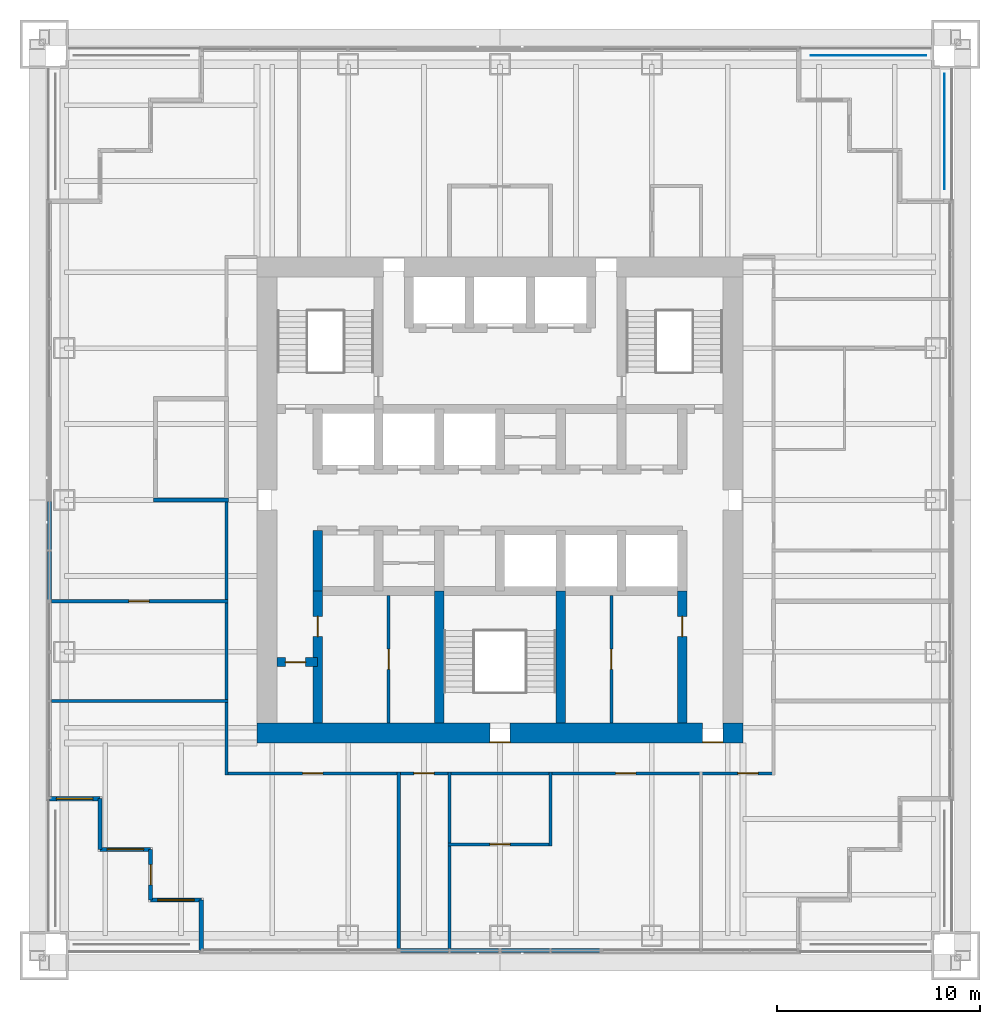
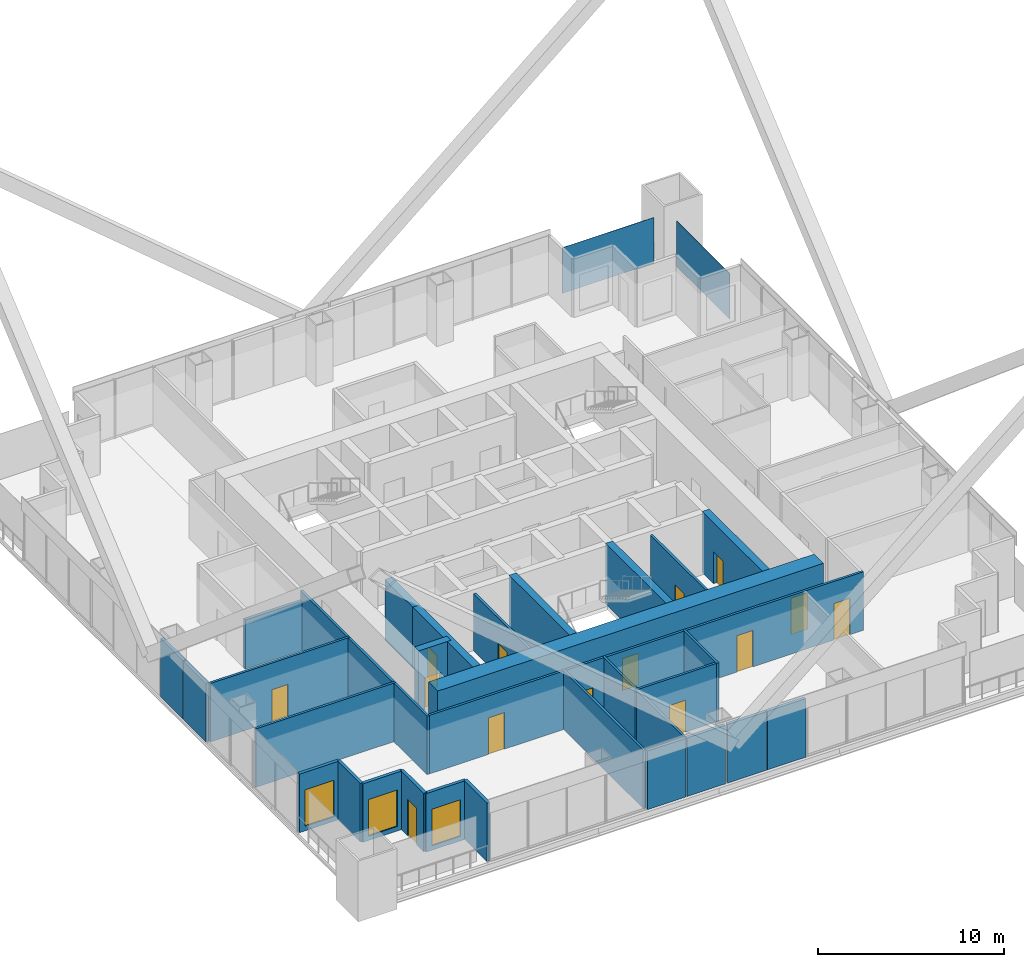
# One storey, part 14 of 19: 30 walls, 14 doors, 3 windows, 2 plates, 17 openings.
"""IFC4 building model written with IfcOpenShell, lengths in metres."""

import ifcopenshell
import ifcopenshell.guid

model = None  # the IFC model being written
_history = None  # IfcOwnerHistory: only IFC2X3 demands one
_inside = {}  # id of a spatial element -> (the spatial element, [elements in it])
_under = {}  # id of a project, library or spatial element -> (it, [spatial elements below it])
_declared = {}  # id of a project -> (the project, [libraries it declares])
_typed = {}  # id of a type object -> (the type object, [elements of that type])
_made_of = {}  # id of a material, layer set ... -> (it, [elements and type objects made of it])


def new_model(schema):
    """Start an empty IFC model of exactly this schema.

    Asked for "IFC4X3", IfcOpenShell would pick the latest addendum, in which some entities
    have other attributes; the version numbers below select the first issue.
    IFC2X3 requires an IfcOwnerHistory on every rooted entity: one is made here for all.
    """
    global model, _history
    if schema == "IFC4X3":
        model = ifcopenshell.file(schema_version=(4, 3, 0, 0))
    else:
        model = ifcopenshell.file(schema=schema)
    _inside.clear()
    _under.clear()
    _declared.clear()
    _typed.clear()
    _made_of.clear()
    _history = None
    if model.schema == "IFC2X3":
        org = make("IfcOrganization", Name="unknown")
        user = make(
            "IfcPersonAndOrganization",
            ThePerson=make("IfcPerson", FamilyName="unknown"),
            TheOrganization=org,
        )
        app = make(
            "IfcApplication",
            ApplicationDeveloper=org,
            Version="unknown",
            ApplicationFullName="unknown",
            ApplicationIdentifier="unknown",
        )
        _history = make(
            "IfcOwnerHistory",
            OwningUser=user,
            OwningApplication=app,
            ChangeAction="ADDED",
            CreationDate=0,
        )
    return model


def make(cls, **values):
    """One entity of the class cls with the attributes given. An attribute that is None is left unset."""
    return model.create_entity(
        cls, **{name: value for name, value in values.items() if value is not None}
    )


def rooted(cls, **values):
    """An entity with a GlobalId (a new one), such as an element, a storey or a relation."""
    return make(cls, GlobalId=ifcopenshell.guid.new(), OwnerHistory=_history, **values)


def si_unit(unit_type, name, prefix=None):
    """IfcSIUnit, for example si_unit("LENGTHUNIT", "METRE", prefix="MILLI")."""
    return make("IfcSIUnit", UnitType=unit_type, Prefix=prefix, Name=name)


def assignment(units):
    """IfcUnitAssignment: the units of a project."""
    return None if units is None else make("IfcUnitAssignment", Units=units)


def point(xyz):
    """IfcCartesianPoint."""
    return None if xyz is None else make("IfcCartesianPoint", Coordinates=xyz)


def direction(xyz):
    """IfcDirection."""
    return None if xyz is None else make("IfcDirection", DirectionRatios=xyz)


def frame(location, z_axis=None, x_axis=None):
    """IfcAxis2Placement3D, a coordinate frame: its origin and axes. An axis left out is left unset."""
    return make(
        "IfcAxis2Placement3D",
        Location=point(location),
        Axis=direction(z_axis),
        RefDirection=direction(x_axis),
    )


def frame_2d(location, x_axis=None):
    """IfcAxis2Placement2D, a coordinate frame in the plane: its origin and x axis."""
    return make(
        "IfcAxis2Placement2D", Location=point(location), RefDirection=direction(x_axis)
    )


def origin():
    """The frame at (0, 0, 0) with its axes left unset."""
    return frame((0.0, 0.0, 0.0))


def origin_2d():
    """The frame at (0, 0) in the plane with its x axis left unset."""
    return frame_2d((0.0, 0.0))


def place(relative_to, where):
    """IfcLocalPlacement: puts the frame where relative to a parent placement (None: the world)."""
    return make(
        "IfcLocalPlacement", PlacementRelTo=relative_to, RelativePlacement=where
    )


def context(
    kind, dimensions, precision=None, world=None, true_north=None, identifier=None
):
    """IfcGeometricRepresentationContext, for example the 3D "Model" context."""
    return make(
        "IfcGeometricRepresentationContext",
        ContextIdentifier=identifier,
        ContextType=kind,
        CoordinateSpaceDimension=dimensions,
        Precision=precision,
        WorldCoordinateSystem=world,
        TrueNorth=true_north,
    )


def subcontext(parent, identifier, kind, view, scale=None):
    """IfcGeometricRepresentationSubContext, for example "Body" below "Model"."""
    return make(
        "IfcGeometricRepresentationSubContext",
        ContextIdentifier=identifier,
        ContextType=kind,
        ParentContext=parent,
        TargetScale=scale,
        TargetView=view,
    )


def project(units=None, contexts=None):
    """IfcProject with its units and contexts."""
    return rooted(
        "IfcProject",
        Name="project",
        RepresentationContexts=contexts,
        UnitsInContext=assignment(units),
    )


def spatial(cls, under=None, at=None, **own):
    """A site, building, storey or space (cls), placed at a placement, below another one or the project."""
    s = rooted(cls, ObjectPlacement=at, **own)
    if under is not None:
        _under.setdefault(under.id(), (under, []))[1].append(s)
    return s


def profile(cls, at=None, kind="AREA", **sizes):
    """A parametric profile (cls). Its sizes go by their IFC names, for example OverallWidth=200.0."""
    return make(cls, ProfileType=kind, Position=at, **sizes)


def rectangle(**sizes):
    """IfcRectangleProfileDef."""
    return profile("IfcRectangleProfileDef", **sizes)


def extrude(swept, where, along, depth):
    """IfcExtrudedAreaSolid: the profile swept, set in the frame where, extruded along a direction by depth."""
    return make(
        "IfcExtrudedAreaSolid",
        SweptArea=swept,
        Position=where,
        ExtrudedDirection=direction(along),
        Depth=depth,
    )


def shape(context_of_items, identifier, shape_type, items):
    """IfcShapeRepresentation: the items that make up one representation, for example the "Body"."""
    return make(
        "IfcShapeRepresentation",
        ContextOfItems=context_of_items,
        RepresentationIdentifier=identifier,
        RepresentationType=shape_type,
        Items=items,
    )


def material(Name=None, Category=None):
    """IfcMaterial."""
    return make("IfcMaterial", Name=Name, Category=Category)


def layer(
    of_material, thickness, ventilated=None, Name=None, Category=None, Priority=None
):
    """IfcMaterialLayer: one layer of a wall or slab, of a material (None: an air gap)."""
    return make(
        "IfcMaterialLayer",
        Material=of_material,
        LayerThickness=thickness,
        IsVentilated=ventilated,
        Name=Name,
        Category=Category,
        Priority=Priority,
    )


def layer_set(layers, Name=None):
    """IfcMaterialLayerSet."""
    return make("IfcMaterialLayerSet", MaterialLayers=layers, LayerSetName=Name)


def made_of(thing, what):
    """Note that an element or type object is made of a material, layer set ...; save() writes the relation."""
    if what is not None:
        _made_of.setdefault(what.id(), (what, []))[1].append(thing)
    return thing


def type_object(cls, material=None, **own):
    """A type object (cls), such as IfcWallType, which elements share."""
    return made_of(rooted(cls, **own), material)


def element(
    cls,
    number,
    at=None,
    inside=None,
    cuts=None,
    type_object=None,
    material=None,
    context=None,
    identifier="Body",
    shape_type=None,
    held_by="IfcProductDefinitionShape",
    body=None,
    shapes=None,
    **own,
):
    """One element of the class cls, such as IfcWall. Its Tag is "e" and its number.

    at: its placement. inside: the storey or other place that contains it. cuts: it is an
    opening in that element (IfcRelVoidsElement). A single representation is given by context,
    identifier, shape_type and body (its items); several are given by shapes. held_by: the class
    of the entity that holds the representations. save() writes the other relations.
    """
    e = rooted(cls, Tag="e%d" % number, ObjectPlacement=at, **own)
    if body is not None:
        shapes = [shape(context, identifier, shape_type, body)]
    if shapes is not None:
        e.Representation = make(held_by, Representations=shapes)
    if inside is not None:
        _inside.setdefault(inside.id(), (inside, []))[1].append(e)
    if cuts is not None:
        rooted(
            "IfcRelVoidsElement", RelatingBuildingElement=cuts, RelatedOpeningElement=e
        )
    if type_object is not None:
        _typed.setdefault(type_object.id(), (type_object, []))[1].append(e)
    return made_of(e, material)


def fill(opening, filler):
    """IfcRelFillsElement: the door or window that sits in an opening."""
    return rooted(
        "IfcRelFillsElement",
        RelatingOpeningElement=opening,
        RelatedBuildingElement=filler,
    )


def aggregate(whole, parts):
    """IfcRelAggregates: a whole, such as a stair, and the parts it consists of."""
    return rooted("IfcRelAggregates", RelatingObject=whole, RelatedObjects=parts)


def save(model, path):
    """Write the relations noted so far, then the file.

    IfcRelAggregates (storeys below a building ...), IfcRelContainedInSpatialStructure (elements
    in a storey), IfcRelDefinesByType, IfcRelAssociatesMaterial and IfcRelDeclares: one each for
    every whole, place, type object, material and project.
    """
    for whole, parts in _under.values():
        aggregate(whole, parts)
    for where, things in _inside.values():
        rooted(
            "IfcRelContainedInSpatialStructure",
            RelatedElements=things,
            RelatingStructure=where,
        )
    for kind, things in _typed.values():
        rooted("IfcRelDefinesByType", RelatedObjects=things, RelatingType=kind)
    for what, things in _made_of.values():
        rooted("IfcRelAssociatesMaterial", RelatedObjects=things, RelatingMaterial=what)
    for by, libraries in _declared.values():
        rooted("IfcRelDeclares", RelatingContext=by, RelatedDefinitions=libraries)
    model.write(path)


model = new_model("IFC4")

# Units and contexts
model_context = context("Model", 3, precision=1e-05, world=origin(), true_north=direction((0.0, 1.0)))
body_context = subcontext(model_context, "Body", "Model", "MODEL_VIEW")
ifc_project = project(units=[si_unit("LENGTHUNIT", "METRE"), si_unit("AREAUNIT", "SQUARE_METRE"), si_unit("VOLUMEUNIT", "CUBIC_METRE"), si_unit("PLANEANGLEUNIT", "RADIAN"), si_unit("MASSUNIT", "GRAM", prefix="KILO")], contexts=[model_context])

# Site, building, storey
site_placement = place(None, origin())
site = spatial("IfcSite", under=ifc_project, at=site_placement, CompositionType="ELEMENT")
building_placement = place(site_placement, origin())
building = spatial("IfcBuilding", under=site, at=building_placement, Name="Tarangal Relay Tower", CompositionType="ELEMENT")
storey_placement = place(building_placement, frame((0.0, 0.0, 193.89990234375)))
storey = spatial("IfcBuildingStorey", under=building, at=storey_placement, Name="L40", CompositionType="ELEMENT", Elevation=193.89990234375)

# Plates
ifc_material_1 = material(Name="Black stainless steel cable trellis with climbing planting", Category="steel")
ifc_layer_1 = layer(ifc_material_1, 0.030029296875)
ifc_layer_set_1 = layer_set([ifc_layer_1], Name="Planted trellis screen")
plate_type_1 = type_object("IfcPlateType", Name="Planted trellis screen", PredefinedType="SHEET", material=ifc_layer_set_1)
plate_1_placement = place(storey_placement, frame((21.949951171875, 18.199951171875, 0.0), z_axis=(0.0, 0.0, 1.0), x_axis=(0.0, -1.0, 0.0)))
element("IfcPlate", 1, at=plate_1_placement, inside=storey, type_object=plate_type_1, Name="Planted trellis SC2 NE L40", PredefinedType="SHEET", context=body_context, shape_type="SweptSolid", body=[
    extrude(rectangle(XDim=5.699951171875, YDim=0.030029296875, at=origin_2d()), origin(), (0.0, 0.0, 1.0), 3.0),
])
ifc_material_2 = material(Name="Perforated black aluminium screen", Category="aluminium")
ifc_layer_2 = layer(ifc_material_2, 0.02001953125)
ifc_layer_set_2 = layer_set([ifc_layer_2], Name="Terrace screen panel")
plate_type_2 = type_object("IfcPlateType", Name="Terrace screen panel", PredefinedType="SHEET", material=ifc_layer_set_2)
plate_2_placement = place(storey_placement, frame((18.199951171875, 21.949951171875, 0.0), z_axis=(0.0, 0.0, 1.0), x_axis=(1.0, 0.0, 0.0)))
element("IfcPlate", 2, at=plate_2_placement, inside=storey, type_object=plate_type_2, Name="Terrace screen SC1 NE L40", PredefinedType="SHEET", context=body_context, shape_type="SweptSolid", body=[
    extrude(rectangle(XDim=5.699951171875, YDim=0.02001953125, at=origin_2d()), origin(), (0.0, 0.0, 1.0), 3.0),
])

# Wall
ifc_material_3 = material(Name="Two layers gypsum board each side on twin steel studs, mineral wool", Category="steel")
ifc_layer_3 = layer(ifc_material_3, 0.199951171875)
ifc_layer_set_3 = layer_set([ifc_layer_3], Name="Acoustic partition 200")
wall_type_1 = type_object("IfcWallType", Name="Acoustic partition 200", PredefinedType="PARTITIONING", material=ifc_layer_set_3)
wall_1_placement = place(storey_placement, frame((-17.10009765625, 0.0, 0.0), z_axis=(0.0, 0.0, 1.0), x_axis=(1.0, 0.0, 0.0)))
element("IfcWall", 3, at=wall_1_placement, inside=storey, type_object=wall_type_1, Name="Partition PT2 L40", PredefinedType="PARTITIONING", context=body_context, shape_type="SweptSolid", body=[
    extrude(rectangle(XDim=3.7001953125, YDim=0.199951171875, at=frame_2d((1.85009765625, 0.0))), origin(), (0.0, 0.0, 1.0), 3.238037109375),
])

# Wall, opening, door
ifc_material_4 = material(Name="Concrete fc' 60 MPa", Category="concrete")
ifc_layer_4 = layer(ifc_material_4, 0.449951171875)
ifc_layer_set_4 = layer_set([ifc_layer_4], Name="Core inner wall 450")
wall_type_2 = type_object("IfcWallType", Name="Core inner wall 450", PredefinedType="SHEAR", material=ifc_layer_set_4)
wall_2_placement = place(storey_placement, frame((-11.0, -8.0, 0.0), z_axis=(0.0, 0.0, 1.0), x_axis=(1.0, 0.0, 0.0)))
wall_2 = element("IfcWall", 4, at=wall_2_placement, inside=storey, type_object=wall_type_2, Name="Core wall YM8 L40", PredefinedType="SHEAR", context=body_context, shape_type="SweptSolid", body=[
    extrude(rectangle(XDim=2.0, YDim=0.449951171875, at=frame_2d((1.0, 0.0))), origin(), (0.0, 0.0, 1.0), 4.0),
])
opening_1_placement = place(wall_2_placement, frame((0.39990234375, 0.0, 0.0)))
opening_1 = element("IfcOpeningElement", 5, at=opening_1_placement, cuts=wall_2, Name="Opening D1", PredefinedType="OPENING", context=body_context, shape_type="SweptSolid", body=[
    extrude(rectangle(XDim=1.0, YDim=2.10009765625, at=frame_2d((0.5, 1.050048828125))), frame((0.0, 0.23486328125, 0.0), z_axis=(0.0, -1.0, 0.0), x_axis=(1.0, 0.0, 0.0)), (0.0, 0.0, 1.0), 0.469970703125),
])
ifc_material_5 = material(Name="Hardwood door", Category="wood")
door_type_1 = type_object("IfcDoorType", Name="WC door 1000 x 2100", OperationType="SINGLE_SWING_LEFT", PredefinedType="DOOR", material=ifc_material_5)
door_1_placement = place(opening_1_placement, origin())
door_1 = element("IfcDoor", 6, at=door_1_placement, inside=storey, type_object=door_type_1, Name="Accessible WC door L40", OperationType="SINGLE_SWING_LEFT", OverallHeight=2.10009765625, OverallWidth=1.0, PredefinedType="DOOR", context=body_context, shape_type="SweptSolid", body=[
    extrude(rectangle(XDim=1.0, YDim=2.10009765625, at=frame_2d((0.5, 1.050048828125))), frame((0.0, 0.02490234375, 0.0), z_axis=(0.0, -1.0, 0.0), x_axis=(1.0, 0.0, 0.0)), (0.0, 0.0, 1.0), 0.050048828125),
])
fill(opening_1, door_1)

# Wall
wall_3_placement = place(storey_placement, frame((-9.0, -4.5, 0.0), z_axis=(0.0, 0.0, 1.0), x_axis=(0.0, 1.0, 0.0)))
element("IfcWall", 7, at=wall_3_placement, inside=storey, type_object=wall_type_2, Name="Core wall XM9S L40", PredefinedType="SHEAR", context=body_context, shape_type="SweptSolid", body=[
    extrude(rectangle(XDim=3.0, YDim=0.449951171875, at=frame_2d((1.5, 0.0))), origin(), (0.0, 0.0, 1.0), 4.0),
])

# Wall, opening, door
wall_4_placement = place(storey_placement, frame((-9.0, -11.0, 0.0), z_axis=(0.0, 0.0, 1.0), x_axis=(0.0, 1.0, 0.0)))
wall_4 = element("IfcWall", 8, at=wall_4_placement, inside=storey, type_object=wall_type_2, Name="Core wall XM9W L40", PredefinedType="SHEAR", context=body_context, shape_type="SweptSolid", body=[
    extrude(rectangle(XDim=6.5, YDim=0.449951171875, at=frame_2d((3.25, 0.0))), origin(), (0.0, 0.0, 1.0), 4.0),
])
opening_2_placement = place(wall_4_placement, frame((4.25, 0.0, 0.0)))
opening_2 = element("IfcOpeningElement", 9, at=opening_2_placement, cuts=wall_4, Name="Opening D1", PredefinedType="OPENING", context=body_context, shape_type="SweptSolid", body=[
    extrude(rectangle(XDim=1.0, YDim=2.10009765625, at=frame_2d((0.5, 1.050048828125))), frame((0.0, 0.23486328125, 0.0), z_axis=(0.0, -1.0, 0.0), x_axis=(1.0, 0.0, 0.0)), (0.0, 0.0, 1.0), 0.469970703125),
])
door_2_placement = place(opening_2_placement, origin())
door_2 = element("IfcDoor", 10, at=door_2_placement, inside=storey, type_object=door_type_1, Name="Male WC door L40", OperationType="SINGLE_SWING_LEFT", OverallHeight=2.10009765625, OverallWidth=1.0, PredefinedType="DOOR", context=body_context, shape_type="SweptSolid", body=[
    extrude(rectangle(XDim=1.0, YDim=2.10009765625, at=frame_2d((0.5, 1.050048828125))), frame((0.0, 0.02490234375, 0.0), z_axis=(0.0, -1.0, 0.0), x_axis=(1.0, 0.0, 0.0)), (0.0, 0.0, 1.0), 0.050048828125),
])
fill(opening_2, door_2)

wall_5_placement = place(storey_placement, frame((9.0, -11.0, 0.0), z_axis=(0.0, 0.0, 1.0), x_axis=(0.0, 1.0, 0.0)))
wall_5 = element("IfcWall", 11, at=wall_5_placement, inside=storey, type_object=wall_type_2, Name="Core wall X9W L40", PredefinedType="SHEAR", context=body_context, shape_type="SweptSolid", body=[
    extrude(rectangle(XDim=6.5, YDim=0.449951171875, at=frame_2d((3.25, 0.0))), origin(), (0.0, 0.0, 1.0), 4.0),
])
opening_3_placement = place(wall_5_placement, frame((4.25, 0.0, 0.0)))
opening_3 = element("IfcOpeningElement", 12, at=opening_3_placement, cuts=wall_5, Name="Opening D1", PredefinedType="OPENING", context=body_context, shape_type="SweptSolid", body=[
    extrude(rectangle(XDim=1.0, YDim=2.10009765625, at=frame_2d((0.5, 1.050048828125))), frame((0.0, 0.23486328125, 0.0), z_axis=(0.0, -1.0, 0.0), x_axis=(1.0, 0.0, 0.0)), (0.0, 0.0, 1.0), 0.469970703125),
])
door_3_placement = place(opening_3_placement, origin())
door_3 = element("IfcDoor", 13, at=door_3_placement, inside=storey, type_object=door_type_1, Name="Female WC door L40", OperationType="SINGLE_SWING_LEFT", OverallHeight=2.10009765625, OverallWidth=1.0, PredefinedType="DOOR", context=body_context, shape_type="SweptSolid", body=[
    extrude(rectangle(XDim=1.0, YDim=2.10009765625, at=frame_2d((0.5, 1.050048828125))), frame((0.0, 0.02490234375, 0.0), z_axis=(0.0, -1.0, 0.0), x_axis=(1.0, 0.0, 0.0)), (0.0, 0.0, 1.0), 0.050048828125),
])
fill(opening_3, door_3)

# Walls
for number, where, z_axis, x_axis, name in (
    (14, (-3.0, -11.0, 0.0), (0.0, 0.0, 1.0), (0.0, 1.0, 0.0), "Core wall XM3W L40"),
    (15, (3.0, -11.0, 0.0), (0.0, 0.0, 1.0), (0.0, 1.0, 0.0), "Core wall X3W L40"),
):
    element("IfcWall", number, at=place(storey_placement, frame(where, z_axis=z_axis, x_axis=x_axis)), inside=storey, type_object=wall_type_2, Name=name, PredefinedType="SHEAR", context=body_context, shape_type="SweptSolid", body=[
        extrude(rectangle(XDim=6.5, YDim=0.449951171875, at=frame_2d((3.25, 0.0))), origin(), (0.0, 0.0, 1.0), 4.0),
    ])

# Wall, openings, doors
ifc_layer_5 = layer(ifc_material_4, 1.0)
ifc_layer_set_5 = layer_set([ifc_layer_5], Name="Core wall 1000")
wall_type_3 = type_object("IfcWallType", Name="Core wall 1000", PredefinedType="SHEAR", material=ifc_layer_set_5)
wall_6_placement = place(storey_placement, frame((12.0, -11.5, 0.0), z_axis=(0.0, 0.0, 1.0), x_axis=(-1.0, 0.0, 0.0)))
wall_6 = element("IfcWall", 16, at=wall_6_placement, inside=storey, type_object=wall_type_3, Name="Core wall S L40", PredefinedType="SHEAR", context=body_context, shape_type="SweptSolid", body=[
    extrude(rectangle(XDim=24.0, YDim=1.0, at=frame_2d((12.0, 0.0))), origin(), (0.0, 0.0, 1.0), 4.0),
])
opening_4_placement = place(wall_6_placement, frame((11.5, 0.0, 0.0)))
opening_4 = element("IfcOpeningElement", 17, at=opening_4_placement, cuts=wall_6, Name="Opening FD1", PredefinedType="OPENING", context=body_context, shape_type="SweptSolid", body=[
    extrude(rectangle(XDim=1.0, YDim=2.10009765625, at=frame_2d((0.5, 1.050048828125))), frame((0.0, 0.510009765625, 0.0), z_axis=(0.0, -1.0, 0.0), x_axis=(1.0, 0.0, 0.0)), (0.0, 0.0, 1.0), 1.02001953125),
])
opening_5_placement = place(wall_6_placement, frame((1.0, 0.0, 0.0)))
opening_5 = element("IfcOpeningElement", 18, at=opening_5_placement, cuts=wall_6, Name="Opening FD3", PredefinedType="OPENING", context=body_context, shape_type="SweptSolid", body=[
    extrude(rectangle(XDim=1.0, YDim=2.39990234375, at=frame_2d((0.5, 1.199951171875))), frame((0.0, 0.510009765625, 0.0), z_axis=(0.0, -1.0, 0.0), x_axis=(1.0, 0.0, 0.0)), (0.0, 0.0, 1.0), 1.02001953125),
])
ifc_material_6 = material(Name="Steel door with hardwood frame", Category="steel")
door_type_2 = type_object("IfcDoorType", Name="Fire door 1000 x 2100", OperationType="SINGLE_SWING_LEFT", PredefinedType="DOOR", material=ifc_material_6)
door_4_placement = place(opening_4_placement, origin())
door_4 = element("IfcDoor", 19, at=door_4_placement, inside=storey, type_object=door_type_2, Name="Stair ST-C door L40", OperationType="SINGLE_SWING_LEFT", OverallHeight=2.10009765625, OverallWidth=1.0, PredefinedType="DOOR", context=body_context, shape_type="SweptSolid", body=[
    extrude(rectangle(XDim=1.0, YDim=2.10009765625, at=frame_2d((0.5, 1.050048828125))), frame((0.0, 0.48486328125, 0.0), z_axis=(0.0, -1.0, 0.0), x_axis=(1.0, 0.0, 0.0)), (0.0, 0.0, 1.0), 0.050048828125),
])
fill(opening_4, door_4)
door_type_3 = type_object("IfcDoorType", Name="Fire door 1000 x 2400 core entry", OperationType="SINGLE_SWING_RIGHT", PredefinedType="DOOR", material=ifc_material_6)
door_5_placement = place(opening_5_placement, origin())
door_5 = element("IfcDoor", 20, at=door_5_placement, inside=storey, type_object=door_type_3, Name="Core entry door south east L40", OperationType="SINGLE_SWING_RIGHT", OverallHeight=2.39990234375, OverallWidth=1.0, PredefinedType="DOOR", context=body_context, shape_type="SweptSolid", body=[
    extrude(rectangle(XDim=1.0, YDim=2.39990234375, at=frame_2d((0.5, 1.199951171875))), frame((0.0, 0.48486328125, 0.0), z_axis=(0.0, -1.0, 0.0), x_axis=(1.0, 0.0, 0.0)), (0.0, 0.0, 1.0), 0.050048828125),
])
fill(opening_5, door_5)

# Wall
ifc_material_7 = material(Name="Black metal clad insulated wall", Category="steel")
ifc_layer_6 = layer(ifc_material_7, 0.199951171875)
ifc_layer_set_6 = layer_set([ifc_layer_6], Name="Corner wall metal clad 200")
wall_type_4 = type_object("IfcWallType", Name="Corner wall metal clad 200", PredefinedType="SOLIDWALL", material=ifc_layer_set_6)
wall_7_placement = place(storey_placement, frame((-14.75, -22.25, 0.0), z_axis=(0.0, 0.0, 1.0), x_axis=(0.0, 1.0, 0.0)))
element("IfcWall", 21, at=wall_7_placement, inside=storey, type_object=wall_type_4, Name="Facade wall S facade L40", PredefinedType="SOLIDWALL", context=body_context, shape_type="SweptSolid", body=[
    extrude(rectangle(XDim=2.5, YDim=0.199951171875, at=frame_2d((1.25, 0.0))), origin(), (0.0, 0.0, 1.0), 3.85009765625),
])

# Wall, opening, window
wall_8_placement = place(storey_placement, frame((-14.75, -19.75, 0.0), z_axis=(0.0, 0.0, 1.0), x_axis=(-1.0, 0.0, 0.0)))
wall_8 = element("IfcWall", 22, at=wall_8_placement, inside=storey, type_object=wall_type_4, Name="Facade wall S facade L40", PredefinedType="SOLIDWALL", context=body_context, shape_type="SweptSolid", body=[
    extrude(rectangle(XDim=2.5, YDim=0.199951171875, at=frame_2d((1.25, 0.0))), origin(), (0.0, 0.0, 1.0), 3.85009765625),
])
opening_6_placement = place(wall_8_placement, frame((0.35009765625, 0.0, 0.300048828125)))
opening_6 = element("IfcOpeningElement", 23, at=opening_6_placement, cuts=wall_8, Name="Opening WN2", PredefinedType="OPENING", context=body_context, shape_type="SweptSolid", body=[
    extrude(rectangle(XDim=1.800048828125, YDim=2.39990234375, at=frame_2d((0.89990234375, 1.199951171875))), frame((0.0, 0.10986328125, 0.0), z_axis=(0.0, -1.0, 0.0), x_axis=(1.0, 0.0, 0.0)), (0.0, 0.0, 1.0), 0.219970703125),
])
ifc_material_8 = material(Name="Dark tinted double glazing in black aluminium frame", Category="aluminium")
window_type = type_object("IfcWindowType", Name="Corner window 1800 x 2400", PartitioningType="SINGLE_PANEL", PredefinedType="WINDOW", material=ifc_material_8)
window_1_placement = place(opening_6_placement, origin())
window_1 = element("IfcWindow", 24, at=window_1_placement, inside=storey, type_object=window_type, Name="Corner window WN2 S facade L40", OverallHeight=2.39990234375, OverallWidth=1.800048828125, PartitioningType="SINGLE_PANEL", PredefinedType="WINDOW", context=body_context, shape_type="SweptSolid", body=[
    extrude(rectangle(XDim=1.800048828125, YDim=2.39990234375, at=frame_2d((0.89990234375, 1.199951171875))), frame((0.0, 0.030029296875, 0.0), z_axis=(0.0, -1.0, 0.0), x_axis=(1.0, 0.0, 0.0)), (0.0, 0.0, 1.0), 0.06005859375),
])
fill(opening_6, window_1)

# Wall, opening, door
wall_9_placement = place(storey_placement, frame((-17.25, -19.75, 0.0), z_axis=(0.0, 0.0, 1.0), x_axis=(0.0, 1.0, 0.0)))
wall_9 = element("IfcWall", 25, at=wall_9_placement, inside=storey, type_object=wall_type_4, Name="Facade wall S facade L40", PredefinedType="SOLIDWALL", context=body_context, shape_type="SweptSolid", body=[
    extrude(rectangle(XDim=2.5, YDim=0.199951171875, at=frame_2d((1.25, 0.0))), origin(), (0.0, 0.0, 1.0), 3.85009765625),
])
opening_7_placement = place(wall_9_placement, frame((0.75, 0.0, 0.0)))
opening_7 = element("IfcOpeningElement", 26, at=opening_7_placement, cuts=wall_9, Name="Opening TD1", PredefinedType="OPENING", context=body_context, shape_type="SweptSolid", body=[
    extrude(rectangle(XDim=1.0, YDim=2.39990234375, at=frame_2d((0.5, 1.199951171875))), frame((0.0, 0.10986328125, 0.0), z_axis=(0.0, -1.0, 0.0), x_axis=(1.0, 0.0, 0.0)), (0.0, 0.0, 1.0), 0.219970703125),
])
ifc_material_9 = material(Name="Aluminium glazed door", Category="aluminium")
door_type_4 = type_object("IfcDoorType", Name="Terrace door 1000 x 2400", OperationType="SINGLE_SWING_RIGHT", PredefinedType="DOOR", material=ifc_material_9)
door_6_placement = place(opening_7_placement, origin())
door_6 = element("IfcDoor", 27, at=door_6_placement, inside=storey, type_object=door_type_4, Name="Terrace door TD1 SW L40", OperationType="SINGLE_SWING_RIGHT", OverallHeight=2.39990234375, OverallWidth=1.0, PredefinedType="DOOR", context=body_context, shape_type="SweptSolid", body=[
    extrude(rectangle(XDim=1.0, YDim=2.39990234375, at=frame_2d((0.5, 1.199951171875))), frame((0.0, 0.02490234375, 0.0), z_axis=(0.0, -1.0, 0.0), x_axis=(1.0, 0.0, 0.0)), (0.0, 0.0, 1.0), 0.050048828125),
])
fill(opening_7, door_6)

# Wall, opening, window
wall_10_placement = place(storey_placement, frame((-17.25, -17.25, 0.0), z_axis=(0.0, 0.0, 1.0), x_axis=(-1.0, 0.0, 0.0)))
wall_10 = element("IfcWall", 28, at=wall_10_placement, inside=storey, type_object=wall_type_4, Name="Facade wall S facade L40", PredefinedType="SOLIDWALL", context=body_context, shape_type="SweptSolid", body=[
    extrude(rectangle(XDim=2.5, YDim=0.199951171875, at=frame_2d((1.25, 0.0))), origin(), (0.0, 0.0, 1.0), 3.85009765625),
])
opening_8_placement = place(wall_10_placement, frame((0.35009765625, 0.0, 0.300048828125)))
opening_8 = element("IfcOpeningElement", 29, at=opening_8_placement, cuts=wall_10, Name="Opening WN2", PredefinedType="OPENING", context=body_context, shape_type="SweptSolid", body=[
    extrude(rectangle(XDim=1.800048828125, YDim=2.39990234375, at=frame_2d((0.89990234375, 1.199951171875))), frame((0.0, 0.10986328125, 0.0), z_axis=(0.0, -1.0, 0.0), x_axis=(1.0, 0.0, 0.0)), (0.0, 0.0, 1.0), 0.219970703125),
])
window_2_placement = place(opening_8_placement, origin())
window_2 = element("IfcWindow", 30, at=window_2_placement, inside=storey, type_object=window_type, Name="Corner window WN2 S facade L40", OverallHeight=2.39990234375, OverallWidth=1.800048828125, PartitioningType="SINGLE_PANEL", PredefinedType="WINDOW", context=body_context, shape_type="SweptSolid", body=[
    extrude(rectangle(XDim=1.800048828125, YDim=2.39990234375, at=frame_2d((0.89990234375, 1.199951171875))), frame((0.0, 0.030029296875, 0.0), z_axis=(0.0, -1.0, 0.0), x_axis=(1.0, 0.0, 0.0)), (0.0, 0.0, 1.0), 0.06005859375),
])
fill(opening_8, window_2)

# Wall
wall_11_placement = place(storey_placement, frame((-19.75, -17.25, 0.0), z_axis=(0.0, 0.0, 1.0), x_axis=(0.0, 1.0, 0.0)))
element("IfcWall", 31, at=wall_11_placement, inside=storey, type_object=wall_type_4, Name="Facade wall S facade L40", PredefinedType="SOLIDWALL", context=body_context, shape_type="SweptSolid", body=[
    extrude(rectangle(XDim=2.5, YDim=0.199951171875, at=frame_2d((1.25, 0.0))), origin(), (0.0, 0.0, 1.0), 3.85009765625),
])

# Wall, opening, window
wall_12_placement = place(storey_placement, frame((-19.75, -14.75, 0.0), z_axis=(0.0, 0.0, 1.0), x_axis=(-1.0, 0.0, 0.0)))
wall_12 = element("IfcWall", 32, at=wall_12_placement, inside=storey, type_object=wall_type_4, Name="Facade wall S facade L40", PredefinedType="SOLIDWALL", context=body_context, shape_type="SweptSolid", body=[
    extrude(rectangle(XDim=2.5, YDim=0.199951171875, at=frame_2d((1.25, 0.0))), origin(), (0.0, 0.0, 1.0), 3.85009765625),
])
opening_9_placement = place(wall_12_placement, frame((0.35009765625, 0.0, 0.300048828125)))
opening_9 = element("IfcOpeningElement", 33, at=opening_9_placement, cuts=wall_12, Name="Opening WN2", PredefinedType="OPENING", context=body_context, shape_type="SweptSolid", body=[
    extrude(rectangle(XDim=1.800048828125, YDim=2.39990234375, at=frame_2d((0.89990234375, 1.199951171875))), frame((0.0, 0.10986328125, 0.0), z_axis=(0.0, -1.0, 0.0), x_axis=(1.0, 0.0, 0.0)), (0.0, 0.0, 1.0), 0.219970703125),
])
window_3_placement = place(opening_9_placement, origin())
window_3 = element("IfcWindow", 34, at=window_3_placement, inside=storey, type_object=window_type, Name="Corner window WN2 S facade L40", OverallHeight=2.39990234375, OverallWidth=1.800048828125, PartitioningType="SINGLE_PANEL", PredefinedType="WINDOW", context=body_context, shape_type="SweptSolid", body=[
    extrude(rectangle(XDim=1.800048828125, YDim=2.39990234375, at=frame_2d((0.89990234375, 1.199951171875))), frame((0.0, 0.030029296875, 0.0), z_axis=(0.0, -1.0, 0.0), x_axis=(1.0, 0.0, 0.0)), (0.0, 0.0, 1.0), 0.06005859375),
])
fill(opening_9, window_3)

# Walls
ifc_layer_7 = layer(ifc_material_7, 0.199951171875)
ifc_layer_set_7 = layer_set([ifc_layer_7], Name="Facade infill wall metal clad 200")
wall_type_5 = type_object("IfcWallType", Name="Facade infill wall metal clad 200", PredefinedType="SOLIDWALL", material=ifc_layer_set_7)
for number, where, z_axis, x_axis, name in (
    (35, (4.93505859375, -22.25, 0.0), (0.0, 0.0, 1.0), (-1.0, 0.0, 0.0), "Facade infill wall S facade L40 1.1"),
    (36, (2.467529296875, -22.25, 0.0), (0.0, 0.0, 1.0), (-1.0, 0.0, 0.0), "Facade infill wall S facade L40 2.1"),
    (37, (-0.06494140625, -22.25, 0.0), (0.0, 0.0, 1.0), (-1.0, 0.0, 0.0), "Facade infill wall S facade L40 1.1"),
    (38, (-2.532470703125, -22.25, 0.0), (0.0, 0.0, 1.0), (-1.0, 0.0, 0.0), "Facade infill wall S facade L40 2.1"),
    (39, (-22.25, -4.93505859375, 0.0), (0.0, 0.0, 1.0), (0.0, 1.0, 0.0), "Facade infill wall W facade L40 1.1"),
    (40, (-22.25, -2.467529296875, 0.0), (0.0, 0.0, 1.0), (0.0, 1.0, 0.0), "Facade infill wall W facade L40 2.1"),
):
    element("IfcWall", number, at=place(storey_placement, frame(where, z_axis=z_axis, x_axis=x_axis)), inside=storey, type_object=wall_type_5, Name=name, PredefinedType="SOLIDWALL", context=body_context, shape_type="SweptSolid", body=[
        extrude(rectangle(XDim=2.402587890625, YDim=0.199951171875, at=frame_2d((1.201171875, 0.0))), origin(), (0.0, 0.0, 1.0), 3.85009765625),
    ])

# Wall, opening, door
ifc_material_10 = material(Name="Gypsum board on steel studs", Category="steel")
ifc_layer_8 = layer(ifc_material_10, 0.14990234375)
ifc_layer_set_8 = layer_set([ifc_layer_8], Name="Partition 150")
wall_type_6 = type_object("IfcWallType", Name="Partition 150", PredefinedType="PARTITIONING", material=ifc_layer_set_8)
wall_13_placement = place(storey_placement, frame((-2.574951171875, -17.0, 0.0), z_axis=(0.0, 0.0, 1.0), x_axis=(1.0, 0.0, 0.0)))
wall_13 = element("IfcWall", 41, at=wall_13_placement, inside=storey, type_object=wall_type_6, Name="Partition PT1 L40", PredefinedType="PARTITIONING", context=body_context, shape_type="SweptSolid", body=[
    extrude(rectangle(XDim=5.14990234375, YDim=0.14990234375, at=frame_2d((2.574951171875, 0.0))), origin(), (0.0, 0.0, 1.0), 3.85009765625),
])
opening_10_placement = place(wall_13_placement, frame((2.074951171875, 0.0, 0.0)))
opening_10 = element("IfcOpeningElement", 42, at=opening_10_placement, cuts=wall_13, Name="Opening D2", PredefinedType="OPENING", context=body_context, shape_type="SweptSolid", body=[
    extrude(rectangle(XDim=1.0, YDim=2.10009765625, at=frame_2d((0.5, 1.050048828125))), frame((0.0, 0.0849609375, 0.0), z_axis=(0.0, -1.0, 0.0), x_axis=(1.0, 0.0, 0.0)), (0.0, 0.0, 1.0), 0.169921875),
])
door_type_5 = type_object("IfcDoorType", Name="Door 1000 x 2100", OperationType="SINGLE_SWING_LEFT", PredefinedType="DOOR", material=ifc_material_5)
door_7_placement = place(opening_10_placement, origin())
door_7 = element("IfcDoor", 43, at=door_7_placement, inside=storey, type_object=door_type_5, Name="Door D2 to tea pantry L40-10", OperationType="SINGLE_SWING_LEFT", OverallHeight=2.10009765625, OverallWidth=1.0, PredefinedType="DOOR", context=body_context, shape_type="SweptSolid", body=[
    extrude(rectangle(XDim=1.0, YDim=2.10009765625, at=frame_2d((0.5, 1.050048828125))), frame((0.0, 0.02490234375, 0.0), z_axis=(0.0, -1.0, 0.0), x_axis=(1.0, 0.0, 0.0)), (0.0, 0.0, 1.0), 0.050048828125),
])
fill(opening_10, door_7)

# Wall, openings, doors
wall_14_placement = place(storey_placement, frame((-13.574951171875, -13.5, 0.0), z_axis=(0.0, 0.0, 1.0), x_axis=(1.0, 0.0, 0.0)))
wall_14 = element("IfcWall", 44, at=wall_14_placement, inside=storey, type_object=wall_type_6, Name="Partition PT1 L40", PredefinedType="PARTITIONING", context=body_context, shape_type="SweptSolid", body=[
    extrude(rectangle(XDim=27.14990234375, YDim=0.14990234375, at=frame_2d((13.574951171875, 0.0))), origin(), (0.0, 0.0, 1.0), 3.85009765625),
])
opening_11_placement = place(wall_14_placement, frame((19.283447265625, 0.0, 0.0)))
opening_11 = element("IfcOpeningElement", 45, at=opening_11_placement, cuts=wall_14, Name="Opening SD1", PredefinedType="OPENING", context=body_context, shape_type="SweptSolid", body=[
    extrude(rectangle(XDim=1.0, YDim=2.39990234375, at=frame_2d((0.5, 1.199951171875))), frame((0.0, 0.0849609375, 0.0), z_axis=(0.0, -1.0, 0.0), x_axis=(1.0, 0.0, 0.0)), (0.0, 0.0, 1.0), 0.169921875),
])
opening_12_placement = place(wall_14_placement, frame((9.324951171875, 0.0, 0.0)))
opening_12 = element("IfcOpeningElement", 46, at=opening_12_placement, cuts=wall_14, Name="Opening D2", PredefinedType="OPENING", context=body_context, shape_type="SweptSolid", body=[
    extrude(rectangle(XDim=1.0, YDim=2.10009765625, at=frame_2d((0.5, 1.050048828125))), frame((0.0, 0.0849609375, 0.0), z_axis=(0.0, -1.0, 0.0), x_axis=(1.0, 0.0, 0.0)), (0.0, 0.0, 1.0), 0.169921875),
])
opening_13_placement = place(wall_14_placement, frame((3.824951171875, 0.0, 0.0)))
opening_13 = element("IfcOpeningElement", 47, at=opening_13_placement, cuts=wall_14, Name="Opening SD1", PredefinedType="OPENING", context=body_context, shape_type="SweptSolid", body=[
    extrude(rectangle(XDim=1.0, YDim=2.39990234375, at=frame_2d((0.5, 1.199951171875))), frame((0.0, 0.0849609375, 0.0), z_axis=(0.0, -1.0, 0.0), x_axis=(1.0, 0.0, 0.0)), (0.0, 0.0, 1.0), 0.169921875),
])
opening_14_placement = place(wall_14_placement, frame((25.318359375, 0.0, 0.0)))
opening_14 = element("IfcOpeningElement", 48, at=opening_14_placement, cuts=wall_14, Name="Opening SD1", PredefinedType="OPENING", context=body_context, shape_type="SweptSolid", body=[
    extrude(rectangle(XDim=1.0, YDim=2.39990234375, at=frame_2d((0.5, 1.199951171875))), frame((0.0, 0.0849609375, 0.0), z_axis=(0.0, -1.0, 0.0), x_axis=(1.0, 0.0, 0.0)), (0.0, 0.0, 1.0), 0.169921875),
])
door_8_placement = place(opening_12_placement, origin())
door_8 = element("IfcDoor", 49, at=door_8_placement, inside=storey, type_object=door_type_5, Name="Door D2 to print room L40-11", OperationType="SINGLE_SWING_LEFT", OverallHeight=2.10009765625, OverallWidth=1.0, PredefinedType="DOOR", context=body_context, shape_type="SweptSolid", body=[
    extrude(rectangle(XDim=1.0, YDim=2.10009765625, at=frame_2d((0.5, 1.050048828125))), frame((0.0, 0.02490234375, 0.0), z_axis=(0.0, -1.0, 0.0), x_axis=(1.0, 0.0, 0.0)), (0.0, 0.0, 1.0), 0.050048828125),
])
fill(opening_12, door_8)
door_type_6 = type_object("IfcDoorType", Name="Suite entrance door 1000 x 2400", OperationType="SINGLE_SWING_RIGHT", PredefinedType="DOOR", material=ifc_material_6)
door_9_placement = place(opening_11_placement, origin())
door_9 = element("IfcDoor", 50, at=door_9_placement, inside=storey, type_object=door_type_6, Name="Door SD1 to open plan office L40-09", OperationType="SINGLE_SWING_RIGHT", OverallHeight=2.39990234375, OverallWidth=1.0, PredefinedType="DOOR", context=body_context, shape_type="SweptSolid", body=[
    extrude(rectangle(XDim=1.0, YDim=2.39990234375, at=frame_2d((0.5, 1.199951171875))), frame((0.0, 0.02490234375, 0.0), z_axis=(0.0, -1.0, 0.0), x_axis=(1.0, 0.0, 0.0)), (0.0, 0.0, 1.0), 0.050048828125),
])
fill(opening_11, door_9)
door_10_placement = place(opening_13_placement, origin())
door_10 = element("IfcDoor", 51, at=door_10_placement, inside=storey, type_object=door_type_6, Name="Door SD1 to open plan office L40-15", OperationType="SINGLE_SWING_RIGHT", OverallHeight=2.39990234375, OverallWidth=1.0, PredefinedType="DOOR", context=body_context, shape_type="SweptSolid", body=[
    extrude(rectangle(XDim=1.0, YDim=2.39990234375, at=frame_2d((0.5, 1.199951171875))), frame((0.0, 0.02490234375, 0.0), z_axis=(0.0, -1.0, 0.0), x_axis=(1.0, 0.0, 0.0)), (0.0, 0.0, 1.0), 0.050048828125),
])
fill(opening_13, door_10)
door_11_placement = place(opening_14_placement, origin())
door_11 = element("IfcDoor", 52, at=door_11_placement, inside=storey, type_object=door_type_6, Name="Door SD1 to open plan office L40-17", OperationType="SINGLE_SWING_RIGHT", OverallHeight=2.39990234375, OverallWidth=1.0, PredefinedType="DOOR", context=body_context, shape_type="SweptSolid", body=[
    extrude(rectangle(XDim=1.0, YDim=2.39990234375, at=frame_2d((0.5, 1.199951171875))), frame((0.0, 0.02490234375, 0.0), z_axis=(0.0, -1.0, 0.0), x_axis=(1.0, 0.0, 0.0)), (0.0, 0.0, 1.0), 0.050048828125),
])
fill(opening_14, door_11)

# Wall
wall_15_placement = place(storey_placement, frame((-22.14990234375, -9.9169921875, 0.0), z_axis=(0.0, 0.0, 1.0), x_axis=(1.0, 0.0, 0.0)))
element("IfcWall", 53, at=wall_15_placement, inside=storey, type_object=wall_type_6, Name="Partition PT1 L40", PredefinedType="PARTITIONING", context=body_context, shape_type="SweptSolid", body=[
    extrude(rectangle(XDim=8.724853515625, YDim=0.14990234375, at=frame_2d((4.3623046875, 0.0))), origin(), (0.0, 0.0, 1.0), 3.85009765625),
])

# Wall, opening, door
wall_16_placement = place(storey_placement, frame((-22.14990234375, -5.0, 0.0), z_axis=(0.0, 0.0, 1.0), x_axis=(1.0, 0.0, 0.0)))
wall_16 = element("IfcWall", 54, at=wall_16_placement, inside=storey, type_object=wall_type_6, Name="Partition PT1 L40", PredefinedType="PARTITIONING", context=body_context, shape_type="SweptSolid", body=[
    extrude(rectangle(XDim=8.724853515625, YDim=0.14990234375, at=frame_2d((4.3623046875, 0.0))), origin(), (0.0, 0.0, 1.0), 3.85009765625),
])
opening_15_placement = place(wall_16_placement, frame((3.824951171875, 0.0, 0.0)))
opening_15 = element("IfcOpeningElement", 55, at=opening_15_placement, cuts=wall_16, Name="Opening D2", PredefinedType="OPENING", context=body_context, shape_type="SweptSolid", body=[
    extrude(rectangle(XDim=1.0, YDim=2.10009765625, at=frame_2d((0.5, 1.050048828125))), frame((0.0, 0.0849609375, 0.0), z_axis=(0.0, -1.0, 0.0), x_axis=(1.0, 0.0, 0.0)), (0.0, 0.0, 1.0), 0.169921875),
])
door_12_placement = place(opening_15_placement, origin())
door_12 = element("IfcDoor", 56, at=door_12_placement, inside=storey, type_object=door_type_5, Name="Door D2 to cellular office L40-12", OperationType="SINGLE_SWING_LEFT", OverallHeight=2.10009765625, OverallWidth=1.0, PredefinedType="DOOR", context=body_context, shape_type="SweptSolid", body=[
    extrude(rectangle(XDim=1.0, YDim=2.10009765625, at=frame_2d((0.5, 1.050048828125))), frame((0.0, 0.02490234375, 0.0), z_axis=(0.0, -1.0, 0.0), x_axis=(1.0, 0.0, 0.0)), (0.0, 0.0, 1.0), 0.050048828125),
])
fill(opening_15, door_12)

# Walls
wall_17_placement = place(storey_placement, frame((-13.5, -13.574951171875, 0.0), z_axis=(0.0, 0.0, 1.0), x_axis=(0.0, 1.0, 0.0)))
element("IfcWall", 57, at=wall_17_placement, inside=storey, type_object=wall_type_6, Name="Partition PT1 L40", PredefinedType="PARTITIONING", context=body_context, shape_type="SweptSolid", body=[
    extrude(rectangle(XDim=13.64990234375, YDim=0.14990234375, at=frame_2d((6.824951171875, 0.0))), origin(), (0.0, 0.0, 1.0), 3.85009765625),
])
for number, where, z_axis, x_axis, name in (
    (58, (-5.0, -22.14990234375, 0.0), (0.0, 0.0, 1.0), (0.0, 1.0, 0.0), "Partition PT1 L40"),
    (59, (-2.5, -22.14990234375, 0.0), (0.0, 0.0, 1.0), (0.0, 1.0, 0.0), "Partition PT1 L40"),
):
    element("IfcWall", number, at=place(storey_placement, frame(where, z_axis=z_axis, x_axis=x_axis)), inside=storey, type_object=wall_type_6, Name=name, PredefinedType="PARTITIONING", context=body_context, shape_type="SweptSolid", body=[
        extrude(rectangle(XDim=8.724853515625, YDim=0.14990234375, at=frame_2d((4.3623046875, 0.0))), origin(), (0.0, 0.0, 1.0), 3.85009765625),
    ])
wall_18_placement = place(storey_placement, frame((2.5, -17.074951171875, 0.0), z_axis=(0.0, 0.0, 1.0), x_axis=(0.0, 1.0, 0.0)))
element("IfcWall", 60, at=wall_18_placement, inside=storey, type_object=wall_type_6, Name="Partition PT1 L40", PredefinedType="PARTITIONING", context=body_context, shape_type="SweptSolid", body=[
    extrude(rectangle(XDim=3.64990234375, YDim=0.14990234375, at=frame_2d((1.824951171875, 0.0))), origin(), (0.0, 0.0, 1.0), 3.85009765625),
])

# Wall, opening, door
wall_19_placement = place(storey_placement, frame((-5.5, -11.0, 0.0), z_axis=(0.0, 0.0, 1.0), x_axis=(0.0, 1.0, 0.0)))
wall_19 = element("IfcWall", 61, at=wall_19_placement, inside=storey, type_object=wall_type_6, Name="Partition PT1 L40", PredefinedType="PARTITIONING", context=body_context, shape_type="SweptSolid", body=[
    extrude(rectangle(XDim=6.27490234375, YDim=0.14990234375, at=frame_2d((3.137451171875, 0.0))), origin(), (0.0, 0.0, 1.0), 3.75),
])
opening_16_placement = place(wall_19_placement, frame((2.637451171875, 0.0, 0.0)))
opening_16 = element("IfcOpeningElement", 62, at=opening_16_placement, cuts=wall_19, Name="Opening D1", PredefinedType="OPENING", context=body_context, shape_type="SweptSolid", body=[
    extrude(rectangle(XDim=1.0, YDim=2.10009765625, at=frame_2d((0.5, 1.050048828125))), frame((0.0, 0.0849609375, 0.0), z_axis=(0.0, -1.0, 0.0), x_axis=(1.0, 0.0, 0.0)), (0.0, 0.0, 1.0), 0.169921875),
])
door_13_placement = place(opening_16_placement, origin())
door_13 = element("IfcDoor", 63, at=door_13_placement, inside=storey, type_object=door_type_1, Name="Door D1 to male shower and changing room L40-C7B", OperationType="SINGLE_SWING_LEFT", OverallHeight=2.10009765625, OverallWidth=1.0, PredefinedType="DOOR", context=body_context, shape_type="SweptSolid", body=[
    extrude(rectangle(XDim=1.0, YDim=2.10009765625, at=frame_2d((0.5, 1.050048828125))), frame((0.0, 0.02490234375, 0.0), z_axis=(0.0, -1.0, 0.0), x_axis=(1.0, 0.0, 0.0)), (0.0, 0.0, 1.0), 0.050048828125),
])
fill(opening_16, door_13)

wall_20_placement = place(storey_placement, frame((5.5, -11.0, 0.0), z_axis=(0.0, 0.0, 1.0), x_axis=(0.0, 1.0, 0.0)))
wall_20 = element("IfcWall", 64, at=wall_20_placement, inside=storey, type_object=wall_type_6, Name="Partition PT1 L40", PredefinedType="PARTITIONING", context=body_context, shape_type="SweptSolid", body=[
    extrude(rectangle(XDim=6.27490234375, YDim=0.14990234375, at=frame_2d((3.137451171875, 0.0))), origin(), (0.0, 0.0, 1.0), 3.75),
])
opening_17_placement = place(wall_20_placement, frame((2.637451171875, 0.0, 0.0)))
opening_17 = element("IfcOpeningElement", 65, at=opening_17_placement, cuts=wall_20, Name="Opening D1", PredefinedType="OPENING", context=body_context, shape_type="SweptSolid", body=[
    extrude(rectangle(XDim=1.0, YDim=2.10009765625, at=frame_2d((0.5, 1.050048828125))), frame((0.0, 0.0849609375, 0.0), z_axis=(0.0, -1.0, 0.0), x_axis=(1.0, 0.0, 0.0)), (0.0, 0.0, 1.0), 0.169921875),
])
door_14_placement = place(opening_17_placement, origin())
door_14 = element("IfcDoor", 66, at=door_14_placement, inside=storey, type_object=door_type_1, Name="Door D1 to female shower and changing room L40-C10B", OperationType="SINGLE_SWING_LEFT", OverallHeight=2.10009765625, OverallWidth=1.0, PredefinedType="DOOR", context=body_context, shape_type="SweptSolid", body=[
    extrude(rectangle(XDim=1.0, YDim=2.10009765625, at=frame_2d((0.5, 1.050048828125))), frame((0.0, 0.02490234375, 0.0), z_axis=(0.0, -1.0, 0.0), x_axis=(1.0, 0.0, 0.0)), (0.0, 0.0, 1.0), 0.050048828125),
])
fill(opening_17, door_14)

save(model, "model.ifc")
